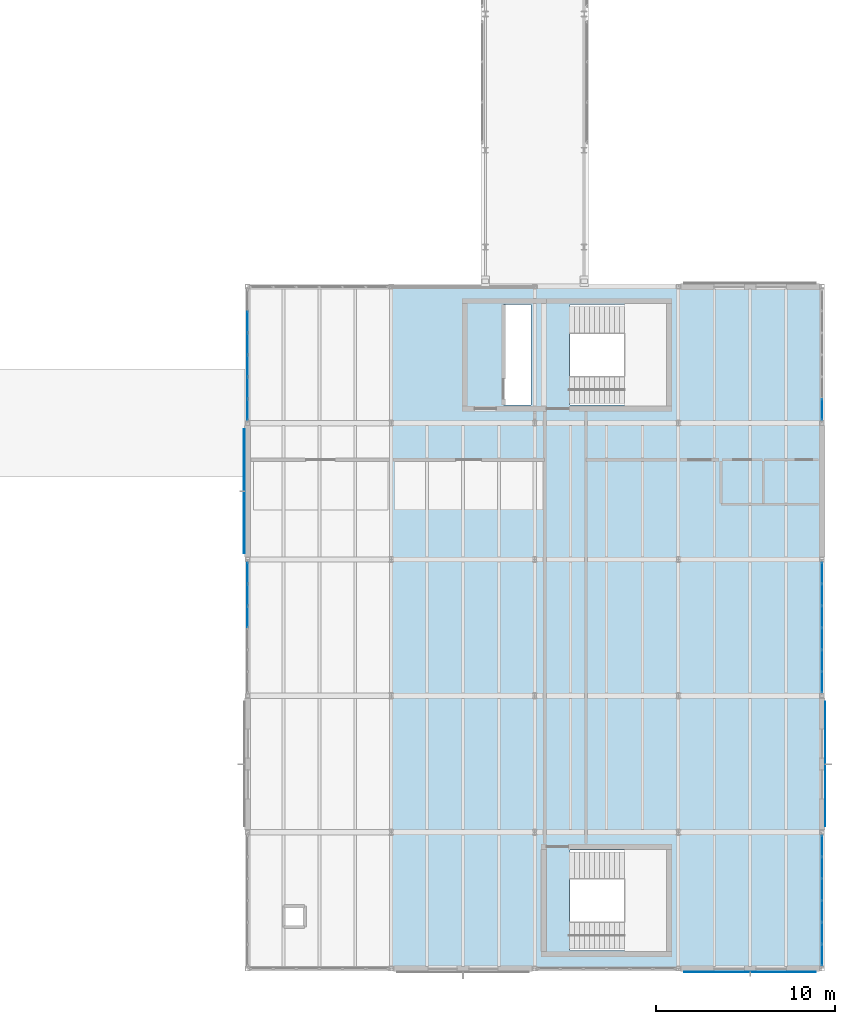
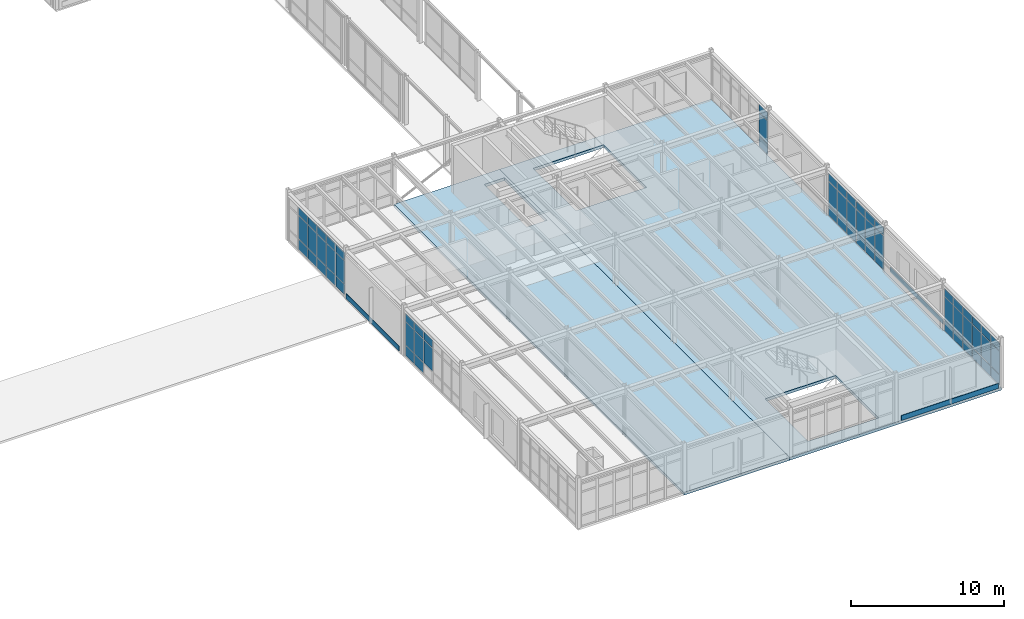
# One storey, part 151 of 189: 65 plates, 2 slabs, 5 elements without a shape of their own.
"""IFC4 building model written with IfcOpenShell, lengths in metres."""

from ifc_helpers import new_model, si_unit, direction, frame, origin, origin_2d, place, context, subcontext, project, spatial, polyline, rectangle, outline, extrude, material, layer, layer_set, type_object, element, aggregate, save


model = new_model("IFC4")

# Units and contexts
model_context = context("Model", 3, precision=1e-05, world=origin(), true_north=direction((0.0, 1.0)))
body_context = subcontext(model_context, "Body", "Model", "MODEL_VIEW")
ifc_project = project(units=[si_unit("LENGTHUNIT", "METRE"), si_unit("AREAUNIT", "SQUARE_METRE"), si_unit("VOLUMEUNIT", "CUBIC_METRE"), si_unit("PLANEANGLEUNIT", "RADIAN"), si_unit("MASSUNIT", "GRAM", prefix="KILO")], contexts=[model_context])

# Site, building, storey
site_placement = place(None, origin())
site = spatial("IfcSite", under=ifc_project, at=site_placement, CompositionType="ELEMENT")
building_placement = place(site_placement, origin())
building = spatial("IfcBuilding", under=site, at=building_placement, Name="Montecoro Central Library", CompositionType="ELEMENT")
storey_placement = place(building_placement, frame((0.0, 0.0, 9.179931640625)))
storey = spatial("IfcBuildingStorey", under=building, at=storey_placement, Name="L02", CompositionType="ELEMENT", Elevation=9.179931640625)

# Curtain wall, plates
ifc_material_1 = material(Name="Bronze-anodised aluminium and low-E glazing", Category="aluminium")
ifc_layer_1 = layer(ifc_material_1, 0.159912109375)
ifc_layer_set_1 = layer_set([ifc_layer_1], Name="Bronze-anodised aluminium and low-E glazing")
curtain_wall_type_1 = type_object("IfcCurtainWallType", Name="CWT-065", PredefinedType="NOTDEFINED", material=ifc_layer_set_1)
curtain_wall_1_placement = place(storey_placement, origin())
curtain_wall_1 = element("IfcCurtainWall", 1, at=curtain_wall_1_placement, inside=storey, type_object=curtain_wall_type_1, Name="V6-L02-CW-E2", PredefinedType="NOTDEFINED")
ifc_material_2 = material(Name="Laminated low-E double glazing", Category="glass")
ifc_layer_2 = layer(ifc_material_2, 0.02587890625)
ifc_layer_set_2 = layer_set([ifc_layer_2], Name="Laminated low-E double glazing")
plate_type_1 = type_object("IfcPlateType", Name="CWP-GLZ-01", PredefinedType="CURTAIN_PANEL", material=ifc_layer_set_2)
plate_1_placement = place(storey_placement, frame((173.0, 20.959228515625, 0.06005859375), z_axis=(0.0, 0.0, 1.0), x_axis=(0.0, 1.0, 0.0)))
plate_1 = element("IfcPlate", 2, at=plate_1_placement, type_object=plate_type_1, Name="CW-065 panel 1.1", PredefinedType="CURTAIN_PANEL", context=body_context, shape_type="SweptSolid", body=[
    extrude(rectangle(XDim=1.13232421875, YDim=0.02587890625, at=origin_2d()), origin(), (0.0, 0.0, 1.0), 0.81005859375),
])
plate_2_placement = place(storey_placement, frame((173.0, 20.959228515625, 0.93017578125), z_axis=(0.0, 0.0, 1.0), x_axis=(0.0, 1.0, 0.0)))
plate_2 = element("IfcPlate", 3, at=plate_2_placement, type_object=plate_type_1, Name="CW-065 panel 1.2", PredefinedType="CURTAIN_PANEL", context=body_context, shape_type="SweptSolid", body=[
    extrude(rectangle(XDim=1.13232421875, YDim=0.02587890625, at=origin_2d()), origin(), (0.0, 0.0, 1.0), 1.820068359375),
])
plate_3_placement = place(storey_placement, frame((173.0, 20.959228515625, 2.81005859375), z_axis=(0.0, 0.0, 1.0), x_axis=(0.0, 1.0, 0.0)))
plate_3 = element("IfcPlate", 4, at=plate_3_placement, type_object=plate_type_1, Name="CW-065 panel 1.3", PredefinedType="CURTAIN_PANEL", context=body_context, shape_type="SweptSolid", body=[
    extrude(rectangle(XDim=1.13232421875, YDim=0.02587890625, at=origin_2d()), origin(), (0.0, 0.0, 1.0), 0.610107421875),
])
plate_4_placement = place(storey_placement, frame((173.0, 22.16650390625, 0.06005859375), z_axis=(0.0, 0.0, 1.0), x_axis=(0.0, 1.0, 0.0)))
plate_4 = element("IfcPlate", 5, at=plate_4_placement, type_object=plate_type_1, Name="CW-065 panel 2.1", PredefinedType="CURTAIN_PANEL", context=body_context, shape_type="SweptSolid", body=[
    extrude(rectangle(XDim=1.162353515625, YDim=0.02587890625, at=origin_2d()), origin(), (0.0, 0.0, 1.0), 0.81005859375),
])
plate_5_placement = place(storey_placement, frame((173.0, 22.16650390625, 0.93017578125), z_axis=(0.0, 0.0, 1.0), x_axis=(0.0, 1.0, 0.0)))
plate_5 = element("IfcPlate", 6, at=plate_5_placement, type_object=plate_type_1, Name="CW-065 panel 2.2", PredefinedType="CURTAIN_PANEL", context=body_context, shape_type="SweptSolid", body=[
    extrude(rectangle(XDim=1.162353515625, YDim=0.02587890625, at=origin_2d()), origin(), (0.0, 0.0, 1.0), 1.820068359375),
])
plate_6_placement = place(storey_placement, frame((173.0, 22.16650390625, 2.81005859375), z_axis=(0.0, 0.0, 1.0), x_axis=(0.0, 1.0, 0.0)))
plate_6 = element("IfcPlate", 7, at=plate_6_placement, type_object=plate_type_1, Name="CW-065 panel 2.3", PredefinedType="CURTAIN_PANEL", context=body_context, shape_type="SweptSolid", body=[
    extrude(rectangle(XDim=1.162353515625, YDim=0.02587890625, at=origin_2d()), origin(), (0.0, 0.0, 1.0), 0.610107421875),
])
plate_7_placement = place(storey_placement, frame((173.0, 23.388916015625, 0.06005859375), z_axis=(0.0, 0.0, 1.0), x_axis=(0.0, 1.0, 0.0)))
plate_7 = element("IfcPlate", 8, at=plate_7_placement, type_object=plate_type_1, Name="CW-065 panel 3.1", PredefinedType="CURTAIN_PANEL", context=body_context, shape_type="SweptSolid", body=[
    extrude(rectangle(XDim=1.162353515625, YDim=0.02587890625, at=origin_2d()), origin(), (0.0, 0.0, 1.0), 0.81005859375),
])
plate_8_placement = place(storey_placement, frame((173.0, 23.388916015625, 0.93017578125), z_axis=(0.0, 0.0, 1.0), x_axis=(0.0, 1.0, 0.0)))
plate_8 = element("IfcPlate", 9, at=plate_8_placement, type_object=plate_type_1, Name="CW-065 panel 3.2", PredefinedType="CURTAIN_PANEL", context=body_context, shape_type="SweptSolid", body=[
    extrude(rectangle(XDim=1.162353515625, YDim=0.02587890625, at=origin_2d()), origin(), (0.0, 0.0, 1.0), 1.820068359375),
])
plate_9_placement = place(storey_placement, frame((173.0, 23.388916015625, 2.81005859375), z_axis=(0.0, 0.0, 1.0), x_axis=(0.0, 1.0, 0.0)))
plate_9 = element("IfcPlate", 10, at=plate_9_placement, type_object=plate_type_1, Name="CW-065 panel 3.3", PredefinedType="CURTAIN_PANEL", context=body_context, shape_type="SweptSolid", body=[
    extrude(rectangle(XDim=1.162353515625, YDim=0.02587890625, at=origin_2d()), origin(), (0.0, 0.0, 1.0), 0.610107421875),
])
plate_10_placement = place(storey_placement, frame((173.0, 24.611083984375, 0.06005859375), z_axis=(0.0, 0.0, 1.0), x_axis=(0.0, 1.0, 0.0)))
plate_10 = element("IfcPlate", 11, at=plate_10_placement, type_object=plate_type_1, Name="CW-065 panel 4.1", PredefinedType="CURTAIN_PANEL", context=body_context, shape_type="SweptSolid", body=[
    extrude(rectangle(XDim=1.162353515625, YDim=0.02587890625, at=origin_2d()), origin(), (0.0, 0.0, 1.0), 0.81005859375),
])
plate_11_placement = place(storey_placement, frame((173.0, 24.611083984375, 0.93017578125), z_axis=(0.0, 0.0, 1.0), x_axis=(0.0, 1.0, 0.0)))
plate_11 = element("IfcPlate", 12, at=plate_11_placement, type_object=plate_type_1, Name="CW-065 panel 4.2", PredefinedType="CURTAIN_PANEL", context=body_context, shape_type="SweptSolid", body=[
    extrude(rectangle(XDim=1.162353515625, YDim=0.02587890625, at=origin_2d()), origin(), (0.0, 0.0, 1.0), 1.820068359375),
])
plate_12_placement = place(storey_placement, frame((173.0, 24.611083984375, 2.81005859375), z_axis=(0.0, 0.0, 1.0), x_axis=(0.0, 1.0, 0.0)))
plate_12 = element("IfcPlate", 13, at=plate_12_placement, type_object=plate_type_1, Name="CW-065 panel 4.3", PredefinedType="CURTAIN_PANEL", context=body_context, shape_type="SweptSolid", body=[
    extrude(rectangle(XDim=1.162353515625, YDim=0.02587890625, at=origin_2d()), origin(), (0.0, 0.0, 1.0), 0.610107421875),
])
plate_13_placement = place(storey_placement, frame((173.0, 25.83349609375, 0.06005859375), z_axis=(0.0, 0.0, 1.0), x_axis=(0.0, 1.0, 0.0)))
plate_13 = element("IfcPlate", 14, at=plate_13_placement, type_object=plate_type_1, Name="CW-065 panel 5.1", PredefinedType="CURTAIN_PANEL", context=body_context, shape_type="SweptSolid", body=[
    extrude(rectangle(XDim=1.162353515625, YDim=0.02587890625, at=origin_2d()), origin(), (0.0, 0.0, 1.0), 0.81005859375),
])
plate_14_placement = place(storey_placement, frame((173.0, 25.83349609375, 0.93017578125), z_axis=(0.0, 0.0, 1.0), x_axis=(0.0, 1.0, 0.0)))
plate_14 = element("IfcPlate", 15, at=plate_14_placement, type_object=plate_type_1, Name="CW-065 panel 5.2", PredefinedType="CURTAIN_PANEL", context=body_context, shape_type="SweptSolid", body=[
    extrude(rectangle(XDim=1.162353515625, YDim=0.02587890625, at=origin_2d()), origin(), (0.0, 0.0, 1.0), 1.820068359375),
])
plate_15_placement = place(storey_placement, frame((173.0, 25.83349609375, 2.81005859375), z_axis=(0.0, 0.0, 1.0), x_axis=(0.0, 1.0, 0.0)))
plate_15 = element("IfcPlate", 16, at=plate_15_placement, type_object=plate_type_1, Name="CW-065 panel 5.3", PredefinedType="CURTAIN_PANEL", context=body_context, shape_type="SweptSolid", body=[
    extrude(rectangle(XDim=1.162353515625, YDim=0.02587890625, at=origin_2d()), origin(), (0.0, 0.0, 1.0), 0.610107421875),
])
plate_16_placement = place(storey_placement, frame((173.0, 27.040771484375, 0.06005859375), z_axis=(0.0, 0.0, 1.0), x_axis=(0.0, 1.0, 0.0)))
plate_16 = element("IfcPlate", 17, at=plate_16_placement, type_object=plate_type_1, Name="CW-065 panel 6.1", PredefinedType="CURTAIN_PANEL", context=body_context, shape_type="SweptSolid", body=[
    extrude(rectangle(XDim=1.13232421875, YDim=0.02587890625, at=origin_2d()), origin(), (0.0, 0.0, 1.0), 0.81005859375),
])
plate_17_placement = place(storey_placement, frame((173.0, 27.040771484375, 0.93017578125), z_axis=(0.0, 0.0, 1.0), x_axis=(0.0, 1.0, 0.0)))
plate_17 = element("IfcPlate", 18, at=plate_17_placement, type_object=plate_type_1, Name="CW-065 panel 6.2", PredefinedType="CURTAIN_PANEL", context=body_context, shape_type="SweptSolid", body=[
    extrude(rectangle(XDim=1.13232421875, YDim=0.02587890625, at=origin_2d()), origin(), (0.0, 0.0, 1.0), 1.820068359375),
])
plate_18_placement = place(storey_placement, frame((173.0, 27.040771484375, 2.81005859375), z_axis=(0.0, 0.0, 1.0), x_axis=(0.0, 1.0, 0.0)))
plate_18 = element("IfcPlate", 19, at=plate_18_placement, type_object=plate_type_1, Name="CW-065 panel 6.3", PredefinedType="CURTAIN_PANEL", context=body_context, shape_type="SweptSolid", body=[
    extrude(rectangle(XDim=1.13232421875, YDim=0.02587890625, at=origin_2d()), origin(), (0.0, 0.0, 1.0), 0.610107421875),
])
aggregate(curtain_wall_1, [plate_1, plate_2, plate_3, plate_4, plate_5, plate_6, plate_7, plate_8, plate_9, plate_10, plate_11, plate_12, plate_13, plate_14, plate_15, plate_16, plate_17, plate_18])

ifc_layer_3 = layer(ifc_material_1, 0.159912109375)
ifc_layer_set_3 = layer_set([ifc_layer_3], Name="Bronze-anodised aluminium and low-E glazing")
curtain_wall_type_2 = type_object("IfcCurtainWallType", Name="CWT-067", PredefinedType="NOTDEFINED", material=ifc_layer_set_3)
curtain_wall_2_placement = place(storey_placement, origin())
curtain_wall_2 = element("IfcCurtainWall", 20, at=curtain_wall_2_placement, inside=storey, type_object=curtain_wall_type_2, Name="V6-L02-CW-W2", PredefinedType="NOTDEFINED")
plate_19_placement = place(storey_placement, frame((141.0, 27.040771484375, 0.06005859375), z_axis=(0.0, 0.0, 1.0), x_axis=(0.0, -1.0, 0.0)))
plate_19 = element("IfcPlate", 21, at=plate_19_placement, type_object=plate_type_1, Name="CW-067 panel 1.1", PredefinedType="CURTAIN_PANEL", context=body_context, shape_type="SweptSolid", body=[
    extrude(rectangle(XDim=1.13232421875, YDim=0.02587890625, at=origin_2d()), origin(), (0.0, 0.0, 1.0), 0.81005859375),
])
plate_20_placement = place(storey_placement, frame((141.0, 27.040771484375, 0.93017578125), z_axis=(0.0, 0.0, 1.0), x_axis=(0.0, -1.0, 0.0)))
plate_20 = element("IfcPlate", 22, at=plate_20_placement, type_object=plate_type_1, Name="CW-067 panel 1.2", PredefinedType="CURTAIN_PANEL", context=body_context, shape_type="SweptSolid", body=[
    extrude(rectangle(XDim=1.13232421875, YDim=0.02587890625, at=origin_2d()), origin(), (0.0, 0.0, 1.0), 1.820068359375),
])
plate_21_placement = place(storey_placement, frame((141.0, 27.040771484375, 2.81005859375), z_axis=(0.0, 0.0, 1.0), x_axis=(0.0, -1.0, 0.0)))
plate_21 = element("IfcPlate", 23, at=plate_21_placement, type_object=plate_type_1, Name="CW-067 panel 1.3", PredefinedType="CURTAIN_PANEL", context=body_context, shape_type="SweptSolid", body=[
    extrude(rectangle(XDim=1.13232421875, YDim=0.02587890625, at=origin_2d()), origin(), (0.0, 0.0, 1.0), 0.610107421875),
])
plate_22_placement = place(storey_placement, frame((141.0, 25.83349609375, 0.06005859375), z_axis=(0.0, 0.0, 1.0), x_axis=(0.0, -1.0, 0.0)))
plate_22 = element("IfcPlate", 24, at=plate_22_placement, type_object=plate_type_1, Name="CW-067 panel 2.1", PredefinedType="CURTAIN_PANEL", context=body_context, shape_type="SweptSolid", body=[
    extrude(rectangle(XDim=1.162353515625, YDim=0.02587890625, at=origin_2d()), origin(), (0.0, 0.0, 1.0), 0.81005859375),
])
plate_23_placement = place(storey_placement, frame((141.0, 25.83349609375, 0.93017578125), z_axis=(0.0, 0.0, 1.0), x_axis=(0.0, -1.0, 0.0)))
plate_23 = element("IfcPlate", 25, at=plate_23_placement, type_object=plate_type_1, Name="CW-067 panel 2.2", PredefinedType="CURTAIN_PANEL", context=body_context, shape_type="SweptSolid", body=[
    extrude(rectangle(XDim=1.162353515625, YDim=0.02587890625, at=origin_2d()), origin(), (0.0, 0.0, 1.0), 1.820068359375),
])
plate_24_placement = place(storey_placement, frame((141.0, 25.83349609375, 2.81005859375), z_axis=(0.0, 0.0, 1.0), x_axis=(0.0, -1.0, 0.0)))
plate_24 = element("IfcPlate", 26, at=plate_24_placement, type_object=plate_type_1, Name="CW-067 panel 2.3", PredefinedType="CURTAIN_PANEL", context=body_context, shape_type="SweptSolid", body=[
    extrude(rectangle(XDim=1.162353515625, YDim=0.02587890625, at=origin_2d()), origin(), (0.0, 0.0, 1.0), 0.610107421875),
])
plate_25_placement = place(storey_placement, frame((141.0, 24.611083984375, 0.93017578125), z_axis=(0.0, 0.0, 1.0), x_axis=(0.0, -1.0, 0.0)))
plate_25 = element("IfcPlate", 27, at=plate_25_placement, type_object=plate_type_1, Name="CW-067 panel 3.2", PredefinedType="CURTAIN_PANEL", context=body_context, shape_type="SweptSolid", body=[
    extrude(rectangle(XDim=1.162353515625, YDim=0.02587890625, at=origin_2d()), origin(), (0.0, 0.0, 1.0), 1.820068359375),
])
plate_26_placement = place(storey_placement, frame((141.0, 24.611083984375, 2.81005859375), z_axis=(0.0, 0.0, 1.0), x_axis=(0.0, -1.0, 0.0)))
plate_26 = element("IfcPlate", 28, at=plate_26_placement, type_object=plate_type_1, Name="CW-067 panel 3.3", PredefinedType="CURTAIN_PANEL", context=body_context, shape_type="SweptSolid", body=[
    extrude(rectangle(XDim=1.162353515625, YDim=0.02587890625, at=origin_2d()), origin(), (0.0, 0.0, 1.0), 0.610107421875),
])
aggregate(curtain_wall_2, [plate_19, plate_20, plate_21, plate_22, plate_23, plate_24, plate_25, plate_26])

curtain_wall_3_placement = place(storey_placement, origin())
curtain_wall_3 = element("IfcCurtainWall", 29, at=curtain_wall_3_placement, inside=storey, type_object=curtain_wall_type_1, Name="V6-L02-CW-E4", PredefinedType="NOTDEFINED")
ifc_layer_4 = layer(ifc_material_2, 0.033935546875)
ifc_layer_set_4 = layer_set([ifc_layer_4], Name="Laminated low-E double glazing")
plate_type_2 = type_object("IfcPlateType", Name="CWP-GLZ-03", PredefinedType="CURTAIN_PANEL", material=ifc_layer_set_4)
plate_27_placement = place(storey_placement, frame((173.0, 36.1591796875, 0.06005859375), z_axis=(0.0, 0.0, 1.0), x_axis=(0.0, 1.0, 0.0)))
plate_27 = element("IfcPlate", 30, at=plate_27_placement, type_object=plate_type_2, Name="CW-065 panel 1.1", PredefinedType="CURTAIN_PANEL", context=body_context, shape_type="SweptSolid", body=[
    extrude(rectangle(XDim=1.13232421875, YDim=0.033935546875, at=origin_2d()), origin(), (0.0, 0.0, 1.0), 0.81005859375),
])
plate_28_placement = place(storey_placement, frame((173.0, 36.1591796875, 0.93017578125), z_axis=(0.0, 0.0, 1.0), x_axis=(0.0, 1.0, 0.0)))
plate_28 = element("IfcPlate", 31, at=plate_28_placement, type_object=plate_type_2, Name="CW-065 panel 1.2", PredefinedType="CURTAIN_PANEL", context=body_context, shape_type="SweptSolid", body=[
    extrude(rectangle(XDim=1.13232421875, YDim=0.033935546875, at=origin_2d()), origin(), (0.0, 0.0, 1.0), 1.820068359375),
])
plate_29_placement = place(storey_placement, frame((173.0, 36.1591796875, 2.81005859375), z_axis=(0.0, 0.0, 1.0), x_axis=(0.0, 1.0, 0.0)))
plate_29 = element("IfcPlate", 32, at=plate_29_placement, type_object=plate_type_2, Name="CW-065 panel 1.3", PredefinedType="CURTAIN_PANEL", context=body_context, shape_type="SweptSolid", body=[
    extrude(rectangle(XDim=1.13232421875, YDim=0.033935546875, at=origin_2d()), origin(), (0.0, 0.0, 1.0), 0.610107421875),
])
aggregate(curtain_wall_3, [plate_27, plate_28, plate_29])

curtain_wall_4_placement = place(storey_placement, origin())
curtain_wall_4 = element("IfcCurtainWall", 33, at=curtain_wall_4_placement, inside=storey, type_object=curtain_wall_type_2, Name="V6-L02-CW-W4", PredefinedType="NOTDEFINED")
plate_30_placement = place(storey_placement, frame((141.0, 41.033447265625, 0.06005859375), z_axis=(0.0, 0.0, 1.0), x_axis=(0.0, -1.0, 0.0)))
plate_30 = element("IfcPlate", 34, at=plate_30_placement, type_object=plate_type_2, Name="CW-067 panel 2.1", PredefinedType="CURTAIN_PANEL", context=body_context, shape_type="SweptSolid", body=[
    extrude(rectangle(XDim=1.162353515625, YDim=0.033935546875, at=origin_2d()), origin(), (0.0, 0.0, 1.0), 0.81005859375),
])
plate_31_placement = place(storey_placement, frame((141.0, 41.033447265625, 0.93017578125), z_axis=(0.0, 0.0, 1.0), x_axis=(0.0, -1.0, 0.0)))
plate_31 = element("IfcPlate", 35, at=plate_31_placement, type_object=plate_type_2, Name="CW-067 panel 2.2", PredefinedType="CURTAIN_PANEL", context=body_context, shape_type="SweptSolid", body=[
    extrude(rectangle(XDim=1.162353515625, YDim=0.033935546875, at=origin_2d()), origin(), (0.0, 0.0, 1.0), 1.820068359375),
])
plate_32_placement = place(storey_placement, frame((141.0, 41.033447265625, 2.81005859375), z_axis=(0.0, 0.0, 1.0), x_axis=(0.0, -1.0, 0.0)))
plate_32 = element("IfcPlate", 36, at=plate_32_placement, type_object=plate_type_2, Name="CW-067 panel 2.3", PredefinedType="CURTAIN_PANEL", context=body_context, shape_type="SweptSolid", body=[
    extrude(rectangle(XDim=1.162353515625, YDim=0.033935546875, at=origin_2d()), origin(), (0.0, 0.0, 1.0), 0.610107421875),
])
plate_33_placement = place(storey_placement, frame((141.0, 39.811279296875, 0.06005859375), z_axis=(0.0, 0.0, 1.0), x_axis=(0.0, -1.0, 0.0)))
plate_33 = element("IfcPlate", 37, at=plate_33_placement, type_object=plate_type_2, Name="CW-067 panel 3.1", PredefinedType="CURTAIN_PANEL", context=body_context, shape_type="SweptSolid", body=[
    extrude(rectangle(XDim=1.162353515625, YDim=0.033935546875, at=origin_2d()), origin(), (0.0, 0.0, 1.0), 0.81005859375),
])
plate_34_placement = place(storey_placement, frame((141.0, 39.811279296875, 0.93017578125), z_axis=(0.0, 0.0, 1.0), x_axis=(0.0, -1.0, 0.0)))
plate_34 = element("IfcPlate", 38, at=plate_34_placement, type_object=plate_type_2, Name="CW-067 panel 3.2", PredefinedType="CURTAIN_PANEL", context=body_context, shape_type="SweptSolid", body=[
    extrude(rectangle(XDim=1.162353515625, YDim=0.033935546875, at=origin_2d()), origin(), (0.0, 0.0, 1.0), 1.820068359375),
])
plate_35_placement = place(storey_placement, frame((141.0, 39.811279296875, 2.81005859375), z_axis=(0.0, 0.0, 1.0), x_axis=(0.0, -1.0, 0.0)))
plate_35 = element("IfcPlate", 39, at=plate_35_placement, type_object=plate_type_2, Name="CW-067 panel 3.3", PredefinedType="CURTAIN_PANEL", context=body_context, shape_type="SweptSolid", body=[
    extrude(rectangle(XDim=1.162353515625, YDim=0.033935546875, at=origin_2d()), origin(), (0.0, 0.0, 1.0), 0.610107421875),
])
plate_36_placement = place(storey_placement, frame((141.0, 38.5888671875, 0.06005859375), z_axis=(0.0, 0.0, 1.0), x_axis=(0.0, -1.0, 0.0)))
plate_36 = element("IfcPlate", 40, at=plate_36_placement, type_object=plate_type_2, Name="CW-067 panel 4.1", PredefinedType="CURTAIN_PANEL", context=body_context, shape_type="SweptSolid", body=[
    extrude(rectangle(XDim=1.162353515625, YDim=0.033935546875, at=origin_2d()), origin(), (0.0, 0.0, 1.0), 0.81005859375),
])
plate_37_placement = place(storey_placement, frame((141.0, 38.5888671875, 0.93017578125), z_axis=(0.0, 0.0, 1.0), x_axis=(0.0, -1.0, 0.0)))
plate_37 = element("IfcPlate", 41, at=plate_37_placement, type_object=plate_type_2, Name="CW-067 panel 4.2", PredefinedType="CURTAIN_PANEL", context=body_context, shape_type="SweptSolid", body=[
    extrude(rectangle(XDim=1.162353515625, YDim=0.033935546875, at=origin_2d()), origin(), (0.0, 0.0, 1.0), 1.820068359375),
])
plate_38_placement = place(storey_placement, frame((141.0, 38.5888671875, 2.81005859375), z_axis=(0.0, 0.0, 1.0), x_axis=(0.0, -1.0, 0.0)))
plate_38 = element("IfcPlate", 42, at=plate_38_placement, type_object=plate_type_2, Name="CW-067 panel 4.3", PredefinedType="CURTAIN_PANEL", context=body_context, shape_type="SweptSolid", body=[
    extrude(rectangle(XDim=1.162353515625, YDim=0.033935546875, at=origin_2d()), origin(), (0.0, 0.0, 1.0), 0.610107421875),
])
plate_39_placement = place(storey_placement, frame((141.0, 37.366455078125, 0.06005859375), z_axis=(0.0, 0.0, 1.0), x_axis=(0.0, -1.0, 0.0)))
plate_39 = element("IfcPlate", 43, at=plate_39_placement, type_object=plate_type_2, Name="CW-067 panel 5.1", PredefinedType="CURTAIN_PANEL", context=body_context, shape_type="SweptSolid", body=[
    extrude(rectangle(XDim=1.162353515625, YDim=0.033935546875, at=origin_2d()), origin(), (0.0, 0.0, 1.0), 0.81005859375),
])
plate_40_placement = place(storey_placement, frame((141.0, 37.366455078125, 0.93017578125), z_axis=(0.0, 0.0, 1.0), x_axis=(0.0, -1.0, 0.0)))
plate_40 = element("IfcPlate", 44, at=plate_40_placement, type_object=plate_type_2, Name="CW-067 panel 5.2", PredefinedType="CURTAIN_PANEL", context=body_context, shape_type="SweptSolid", body=[
    extrude(rectangle(XDim=1.162353515625, YDim=0.033935546875, at=origin_2d()), origin(), (0.0, 0.0, 1.0), 1.820068359375),
])
plate_41_placement = place(storey_placement, frame((141.0, 37.366455078125, 2.81005859375), z_axis=(0.0, 0.0, 1.0), x_axis=(0.0, -1.0, 0.0)))
plate_41 = element("IfcPlate", 45, at=plate_41_placement, type_object=plate_type_2, Name="CW-067 panel 5.3", PredefinedType="CURTAIN_PANEL", context=body_context, shape_type="SweptSolid", body=[
    extrude(rectangle(XDim=1.162353515625, YDim=0.033935546875, at=origin_2d()), origin(), (0.0, 0.0, 1.0), 0.610107421875),
])
plate_42_placement = place(storey_placement, frame((141.0, 36.1591796875, 0.06005859375), z_axis=(0.0, 0.0, 1.0), x_axis=(0.0, -1.0, 0.0)))
plate_42 = element("IfcPlate", 46, at=plate_42_placement, type_object=plate_type_2, Name="CW-067 panel 6.1", PredefinedType="CURTAIN_PANEL", context=body_context, shape_type="SweptSolid", body=[
    extrude(rectangle(XDim=1.13232421875, YDim=0.033935546875, at=origin_2d()), origin(), (0.0, 0.0, 1.0), 0.81005859375),
])
plate_43_placement = place(storey_placement, frame((141.0, 36.1591796875, 0.93017578125), z_axis=(0.0, 0.0, 1.0), x_axis=(0.0, -1.0, 0.0)))
plate_43 = element("IfcPlate", 47, at=plate_43_placement, type_object=plate_type_2, Name="CW-067 panel 6.2", PredefinedType="CURTAIN_PANEL", context=body_context, shape_type="SweptSolid", body=[
    extrude(rectangle(XDim=1.13232421875, YDim=0.033935546875, at=origin_2d()), origin(), (0.0, 0.0, 1.0), 1.820068359375),
])
plate_44_placement = place(storey_placement, frame((141.0, 36.1591796875, 2.81005859375), z_axis=(0.0, 0.0, 1.0), x_axis=(0.0, -1.0, 0.0)))
plate_44 = element("IfcPlate", 48, at=plate_44_placement, type_object=plate_type_2, Name="CW-067 panel 6.3", PredefinedType="CURTAIN_PANEL", context=body_context, shape_type="SweptSolid", body=[
    extrude(rectangle(XDim=1.13232421875, YDim=0.033935546875, at=origin_2d()), origin(), (0.0, 0.0, 1.0), 0.610107421875),
])
aggregate(curtain_wall_4, [plate_30, plate_31, plate_32, plate_33, plate_34, plate_35, plate_36, plate_37, plate_38, plate_39, plate_40, plate_41, plate_42, plate_43, plate_44])

curtain_wall_5_placement = place(storey_placement, origin())
curtain_wall_5 = element("IfcCurtainWall", 49, at=curtain_wall_5_placement, inside=storey, type_object=curtain_wall_type_1, Name="V6-L02-CW-E0", PredefinedType="NOTDEFINED")
ifc_layer_5 = layer(ifc_material_2, 0.0380859375)
ifc_layer_set_5 = layer_set([ifc_layer_5], Name="Laminated low-E double glazing")
plate_type_3 = type_object("IfcPlateType", Name="CWP-GLZ-04", PredefinedType="CURTAIN_PANEL", material=ifc_layer_set_5)
plate_45_placement = place(storey_placement, frame((173.0, 5.75927734375, 0.06005859375), z_axis=(0.0, 0.0, 1.0), x_axis=(0.0, 1.0, 0.0)))
plate_45 = element("IfcPlate", 50, at=plate_45_placement, type_object=plate_type_3, Name="CW-065 panel 1.1", PredefinedType="CURTAIN_PANEL", context=body_context, shape_type="SweptSolid", body=[
    extrude(rectangle(XDim=1.13232421875, YDim=0.0380859375, at=origin_2d()), origin(), (0.0, 0.0, 1.0), 0.81005859375),
])
plate_46_placement = place(storey_placement, frame((173.0, 5.75927734375, 0.93017578125), z_axis=(0.0, 0.0, 1.0), x_axis=(0.0, 1.0, 0.0)))
plate_46 = element("IfcPlate", 51, at=plate_46_placement, type_object=plate_type_3, Name="CW-065 panel 1.2", PredefinedType="CURTAIN_PANEL", context=body_context, shape_type="SweptSolid", body=[
    extrude(rectangle(XDim=1.13232421875, YDim=0.0380859375, at=origin_2d()), origin(), (0.0, 0.0, 1.0), 1.820068359375),
])
plate_47_placement = place(storey_placement, frame((173.0, 5.75927734375, 2.81005859375), z_axis=(0.0, 0.0, 1.0), x_axis=(0.0, 1.0, 0.0)))
plate_47 = element("IfcPlate", 52, at=plate_47_placement, type_object=plate_type_3, Name="CW-065 panel 1.3", PredefinedType="CURTAIN_PANEL", context=body_context, shape_type="SweptSolid", body=[
    extrude(rectangle(XDim=1.13232421875, YDim=0.0380859375, at=origin_2d()), origin(), (0.0, 0.0, 1.0), 0.610107421875),
])
plate_48_placement = place(storey_placement, frame((173.0, 6.966552734375, 0.06005859375), z_axis=(0.0, 0.0, 1.0), x_axis=(0.0, 1.0, 0.0)))
plate_48 = element("IfcPlate", 53, at=plate_48_placement, type_object=plate_type_3, Name="CW-065 panel 2.1", PredefinedType="CURTAIN_PANEL", context=body_context, shape_type="SweptSolid", body=[
    extrude(rectangle(XDim=1.162353515625, YDim=0.0380859375, at=origin_2d()), origin(), (0.0, 0.0, 1.0), 0.81005859375),
])
plate_49_placement = place(storey_placement, frame((173.0, 6.966552734375, 0.93017578125), z_axis=(0.0, 0.0, 1.0), x_axis=(0.0, 1.0, 0.0)))
plate_49 = element("IfcPlate", 54, at=plate_49_placement, type_object=plate_type_3, Name="CW-065 panel 2.2", PredefinedType="CURTAIN_PANEL", context=body_context, shape_type="SweptSolid", body=[
    extrude(rectangle(XDim=1.162353515625, YDim=0.0380859375, at=origin_2d()), origin(), (0.0, 0.0, 1.0), 1.820068359375),
])
plate_50_placement = place(storey_placement, frame((173.0, 6.966552734375, 2.81005859375), z_axis=(0.0, 0.0, 1.0), x_axis=(0.0, 1.0, 0.0)))
plate_50 = element("IfcPlate", 55, at=plate_50_placement, type_object=plate_type_3, Name="CW-065 panel 2.3", PredefinedType="CURTAIN_PANEL", context=body_context, shape_type="SweptSolid", body=[
    extrude(rectangle(XDim=1.162353515625, YDim=0.0380859375, at=origin_2d()), origin(), (0.0, 0.0, 1.0), 0.610107421875),
])
plate_51_placement = place(storey_placement, frame((173.0, 8.188720703125, 0.06005859375), z_axis=(0.0, 0.0, 1.0), x_axis=(0.0, 1.0, 0.0)))
plate_51 = element("IfcPlate", 56, at=plate_51_placement, type_object=plate_type_3, Name="CW-065 panel 3.1", PredefinedType="CURTAIN_PANEL", context=body_context, shape_type="SweptSolid", body=[
    extrude(rectangle(XDim=1.162353515625, YDim=0.0380859375, at=origin_2d()), origin(), (0.0, 0.0, 1.0), 0.81005859375),
])
plate_52_placement = place(storey_placement, frame((173.0, 8.188720703125, 0.93017578125), z_axis=(0.0, 0.0, 1.0), x_axis=(0.0, 1.0, 0.0)))
plate_52 = element("IfcPlate", 57, at=plate_52_placement, type_object=plate_type_3, Name="CW-065 panel 3.2", PredefinedType="CURTAIN_PANEL", context=body_context, shape_type="SweptSolid", body=[
    extrude(rectangle(XDim=1.162353515625, YDim=0.0380859375, at=origin_2d()), origin(), (0.0, 0.0, 1.0), 1.820068359375),
])
plate_53_placement = place(storey_placement, frame((173.0, 8.188720703125, 2.81005859375), z_axis=(0.0, 0.0, 1.0), x_axis=(0.0, 1.0, 0.0)))
plate_53 = element("IfcPlate", 58, at=plate_53_placement, type_object=plate_type_3, Name="CW-065 panel 3.3", PredefinedType="CURTAIN_PANEL", context=body_context, shape_type="SweptSolid", body=[
    extrude(rectangle(XDim=1.162353515625, YDim=0.0380859375, at=origin_2d()), origin(), (0.0, 0.0, 1.0), 0.610107421875),
])
plate_54_placement = place(storey_placement, frame((173.0, 9.4111328125, 0.06005859375), z_axis=(0.0, 0.0, 1.0), x_axis=(0.0, 1.0, 0.0)))
plate_54 = element("IfcPlate", 59, at=plate_54_placement, type_object=plate_type_3, Name="CW-065 panel 4.1", PredefinedType="CURTAIN_PANEL", context=body_context, shape_type="SweptSolid", body=[
    extrude(rectangle(XDim=1.162353515625, YDim=0.0380859375, at=origin_2d()), origin(), (0.0, 0.0, 1.0), 0.81005859375),
])
plate_55_placement = place(storey_placement, frame((173.0, 9.4111328125, 0.93017578125), z_axis=(0.0, 0.0, 1.0), x_axis=(0.0, 1.0, 0.0)))
plate_55 = element("IfcPlate", 60, at=plate_55_placement, type_object=plate_type_3, Name="CW-065 panel 4.2", PredefinedType="CURTAIN_PANEL", context=body_context, shape_type="SweptSolid", body=[
    extrude(rectangle(XDim=1.162353515625, YDim=0.0380859375, at=origin_2d()), origin(), (0.0, 0.0, 1.0), 1.820068359375),
])
plate_56_placement = place(storey_placement, frame((173.0, 9.4111328125, 2.81005859375), z_axis=(0.0, 0.0, 1.0), x_axis=(0.0, 1.0, 0.0)))
plate_56 = element("IfcPlate", 61, at=plate_56_placement, type_object=plate_type_3, Name="CW-065 panel 4.3", PredefinedType="CURTAIN_PANEL", context=body_context, shape_type="SweptSolid", body=[
    extrude(rectangle(XDim=1.162353515625, YDim=0.0380859375, at=origin_2d()), origin(), (0.0, 0.0, 1.0), 0.610107421875),
])
plate_57_placement = place(storey_placement, frame((173.0, 10.633544921875, 0.06005859375), z_axis=(0.0, 0.0, 1.0), x_axis=(0.0, 1.0, 0.0)))
plate_57 = element("IfcPlate", 62, at=plate_57_placement, type_object=plate_type_3, Name="CW-065 panel 5.1", PredefinedType="CURTAIN_PANEL", context=body_context, shape_type="SweptSolid", body=[
    extrude(rectangle(XDim=1.162353515625, YDim=0.0380859375, at=origin_2d()), origin(), (0.0, 0.0, 1.0), 0.81005859375),
])
plate_58_placement = place(storey_placement, frame((173.0, 10.633544921875, 0.93017578125), z_axis=(0.0, 0.0, 1.0), x_axis=(0.0, 1.0, 0.0)))
plate_58 = element("IfcPlate", 63, at=plate_58_placement, type_object=plate_type_3, Name="CW-065 panel 5.2", PredefinedType="CURTAIN_PANEL", context=body_context, shape_type="SweptSolid", body=[
    extrude(rectangle(XDim=1.162353515625, YDim=0.0380859375, at=origin_2d()), origin(), (0.0, 0.0, 1.0), 1.820068359375),
])
plate_59_placement = place(storey_placement, frame((173.0, 10.633544921875, 2.81005859375), z_axis=(0.0, 0.0, 1.0), x_axis=(0.0, 1.0, 0.0)))
plate_59 = element("IfcPlate", 64, at=plate_59_placement, type_object=plate_type_3, Name="CW-065 panel 5.3", PredefinedType="CURTAIN_PANEL", context=body_context, shape_type="SweptSolid", body=[
    extrude(rectangle(XDim=1.162353515625, YDim=0.0380859375, at=origin_2d()), origin(), (0.0, 0.0, 1.0), 0.610107421875),
])
plate_60_placement = place(storey_placement, frame((173.0, 11.8408203125, 0.06005859375), z_axis=(0.0, 0.0, 1.0), x_axis=(0.0, 1.0, 0.0)))
plate_60 = element("IfcPlate", 65, at=plate_60_placement, type_object=plate_type_3, Name="CW-065 panel 6.1", PredefinedType="CURTAIN_PANEL", context=body_context, shape_type="SweptSolid", body=[
    extrude(rectangle(XDim=1.13232421875, YDim=0.0380859375, at=origin_2d()), origin(), (0.0, 0.0, 1.0), 0.81005859375),
])
plate_61_placement = place(storey_placement, frame((173.0, 11.8408203125, 0.93017578125), z_axis=(0.0, 0.0, 1.0), x_axis=(0.0, 1.0, 0.0)))
plate_61 = element("IfcPlate", 66, at=plate_61_placement, type_object=plate_type_3, Name="CW-065 panel 6.2", PredefinedType="CURTAIN_PANEL", context=body_context, shape_type="SweptSolid", body=[
    extrude(rectangle(XDim=1.13232421875, YDim=0.0380859375, at=origin_2d()), origin(), (0.0, 0.0, 1.0), 1.820068359375),
])
plate_62_placement = place(storey_placement, frame((173.0, 11.8408203125, 2.81005859375), z_axis=(0.0, 0.0, 1.0), x_axis=(0.0, 1.0, 0.0)))
plate_62 = element("IfcPlate", 67, at=plate_62_placement, type_object=plate_type_3, Name="CW-065 panel 6.3", PredefinedType="CURTAIN_PANEL", context=body_context, shape_type="SweptSolid", body=[
    extrude(rectangle(XDim=1.13232421875, YDim=0.0380859375, at=origin_2d()), origin(), (0.0, 0.0, 1.0), 0.610107421875),
])
aggregate(curtain_wall_5, [plate_45, plate_46, plate_47, plate_48, plate_49, plate_50, plate_51, plate_52, plate_53, plate_54, plate_55, plate_56, plate_57, plate_58, plate_59, plate_60, plate_61, plate_62])

# Plates
ifc_material_3 = material(Name="Architectural bronze spandrel plate", Category="aluminium")
ifc_layer_6 = layer(ifc_material_3, 0.02197265625)
ifc_layer_set_6 = layer_set([ifc_layer_6], Name="Architectural bronze spandrel plate")
plate_type_4 = type_object("IfcPlateType", Name="PLT-SPN-01", PredefinedType="SHEET", material=ifc_layer_set_6)
plate_63_placement = place(storey_placement, frame((173.18359375, 16.39990234375, 0.16015625), z_axis=(0.0, 0.0, 1.0), x_axis=(0.0, 1.0, 0.0)))
element("IfcPlate", 68, at=plate_63_placement, inside=storey, type_object=plate_type_4, Name="V6-L02-SPN-E1", PredefinedType="SHEET", context=body_context, shape_type="SweptSolid", body=[
    extrude(rectangle(XDim=6.93408203125, YDim=0.02197265625, at=origin_2d()), origin(), (0.0, 0.0, 1.0), 0.39990234375),
])
ifc_layer_7 = layer(ifc_material_3, 0.035888671875)
ifc_layer_set_7 = layer_set([ifc_layer_7], Name="Architectural bronze spandrel plate")
plate_type_5 = type_object("IfcPlateType", Name="PLT-SPN-03", PredefinedType="SHEET", material=ifc_layer_set_7)
plate_64_placement = place(storey_placement, frame((169.0, 4.8095703125, 0.16015625), z_axis=(0.0, 0.0, 1.0), x_axis=(1.0, 0.0, 0.0)))
element("IfcPlate", 69, at=plate_64_placement, inside=storey, type_object=plate_type_5, Name="V6-L02-SPN-S3", PredefinedType="SHEET", context=body_context, shape_type="SweptSolid", body=[
    extrude(rectangle(XDim=7.333984375, YDim=0.035888671875, at=origin_2d()), origin(), (0.0, 0.0, 1.0), 0.39990234375),
])
plate_65_placement = place(storey_placement, frame((140.8095703125, 31.60009765625, 0.16015625), z_axis=(0.0, 0.0, 1.0), x_axis=(0.0, -1.0, 0.0)))
element("IfcPlate", 70, at=plate_65_placement, inside=storey, type_object=plate_type_5, Name="V6-L02-SPN-W3", PredefinedType="SHEET", context=body_context, shape_type="SweptSolid", body=[
    extrude(rectangle(XDim=6.93408203125, YDim=0.035888671875, at=origin_2d()), origin(), (0.0, 0.0, 1.0), 0.39990234375),
])

# Slabs
ifc_material_4 = material(Name="Concrete C32/40", Category="concrete")
ifc_layer_8 = layer(ifc_material_4, 0.22509765625)
ifc_layer_set_8 = layer_set([ifc_layer_8], Name="Concrete C32/40")
slab_type = type_object("IfcSlabType", Name="SL-FLR-225", PredefinedType="FLOOR", material=ifc_layer_set_8)
slab_1_placement = place(storey_placement, frame((0.0, 0.0, -0.224853515625)))
element("IfcSlab", 71, at=slab_1_placement, inside=storey, type_object=slab_type, Name="V6-L02-SL2", PredefinedType="FLOOR", context=body_context, shape_type="SweptSolid", body=[
    extrude(outline(polyline([(149.0, 5.0), (157.0, 5.0), (157.0, 43.0), (149.0, 43.0), (149.0, 5.0)]), holes=[polyline([(155.25, 42.0), (156.780029296875, 42.0), (156.780029296875, 36.39990234375), (155.25, 36.39990234375), (155.25, 42.0)])]), origin(), (0.0, 0.0, 1.0), 0.224853515625),
])
slab_2_placement = place(storey_placement, frame((0.0, 0.0, -0.224853515625)))
element("IfcSlab", 72, at=slab_2_placement, inside=storey, type_object=slab_type, Name="V6-L02-SL3", PredefinedType="FLOOR", context=body_context, shape_type="SweptSolid", body=[
    extrude(outline(polyline([(157.0, 5.0), (173.0, 5.0), (173.0, 43.0), (157.0, 43.0), (157.0, 5.0)]), holes=[polyline([(158.9599609375, 42.0), (164.300048828125, 42.0), (164.300048828125, 36.39990234375), (158.9599609375, 36.39990234375), (158.9599609375, 42.0)]), polyline([(158.9599609375, 11.60009765625), (164.300048828125, 11.60009765625), (164.300048828125, 6.0), (158.9599609375, 6.0), (158.9599609375, 11.60009765625)])]), origin(), (0.0, 0.0, 1.0), 0.224853515625),
])

save(model, "model.ifc")
